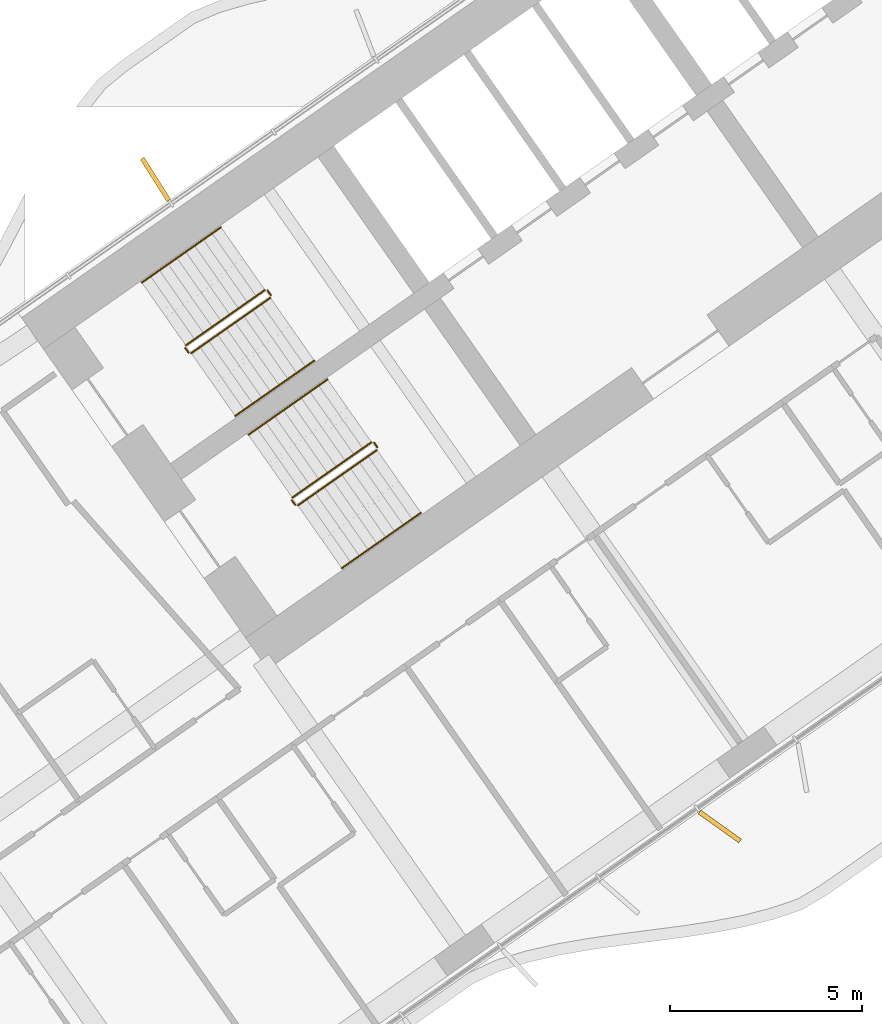
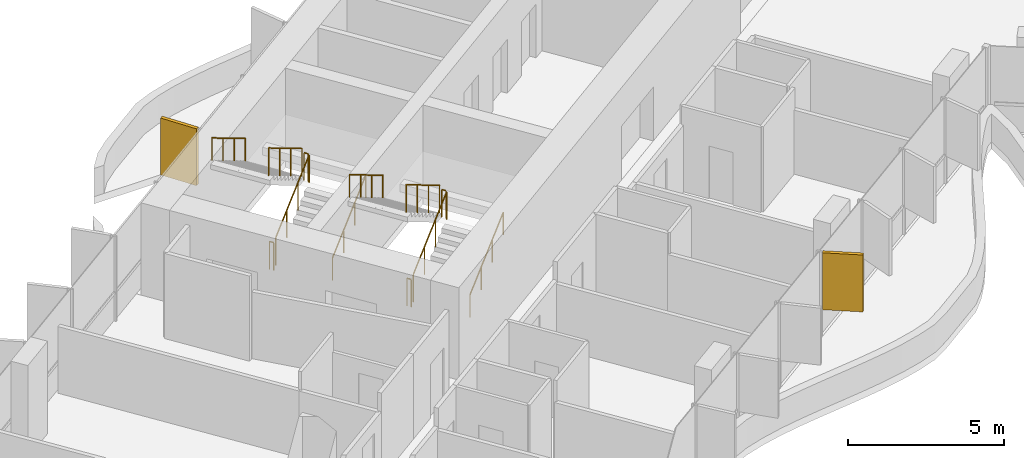
# One storey, part 21 of 25: 12 railings, 2 shading devices.
"""IFC4 building model written with IfcOpenShell, lengths in metres."""

from ifc_helpers import new_model, si_unit, direction, frame, origin, origin_2d, place, context, subcontext, project, spatial, rectangle, circle, extrude, material, layer, layer_set, type_object, element, save


model = new_model("IFC4")

# Units and contexts
model_context = context("Model", 3, precision=1e-05, world=origin(), true_north=direction((0.0, 1.0)))
body_context = subcontext(model_context, "Body", "Model", "MODEL_VIEW")
ifc_project = project(units=[si_unit("LENGTHUNIT", "METRE"), si_unit("AREAUNIT", "SQUARE_METRE"), si_unit("VOLUMEUNIT", "CUBIC_METRE"), si_unit("PLANEANGLEUNIT", "RADIAN"), si_unit("MASSUNIT", "GRAM", prefix="KILO")], contexts=[model_context])

# Site, building, storey
site_placement = place(None, origin())
site = spatial("IfcSite", under=ifc_project, at=site_placement, CompositionType="ELEMENT")
building_placement = place(site_placement, origin())
building = spatial("IfcBuilding", under=site, at=building_placement, Name="Tel Ilan Convention Tower", CompositionType="ELEMENT")
storey_placement = place(building_placement, frame((0.0, 0.0, 61.699951171875)))
storey = spatial("IfcBuildingStorey", under=building, at=storey_placement, Name="L10", CompositionType="ELEMENT", Elevation=61.699951171875)

# Shading devices
ifc_material_1 = material(Name="Aluminium, bronze anodised", Category="aluminium")
ifc_layer = layer(ifc_material_1, 0.1201171875)
ifc_layer_set = layer_set([ifc_layer], Name="FIN BRONZE 1300x120")
shading_device_type = type_object("IfcShadingDeviceType", Name="FIN BRONZE 1300x120", PredefinedType="USERDEFINED", material=ifc_layer_set)
for number, where, z_axis, x_axis, name in (
    (1, (-24.470458984375, -3.520751953125, 1.10009765625), (0.0, 0.0, 1.0), (-0.533204432798, 0.845986425922, 0.0), "FIN"),
    (2, (-9.73974609375, -20.409912109375, 1.10009765625), (0.0, 0.0, 1.0), (0.813552070258, -0.581492071294, 0.0), "FIN"),
):
    element("IfcShadingDevice", number, at=place(storey_placement, frame(where, z_axis=z_axis, x_axis=x_axis)), inside=storey, type_object=shading_device_type, Name=name, ObjectType="FIN", PredefinedType="USERDEFINED", context=body_context, shape_type="SweptSolid", body=[
        extrude(rectangle(XDim=1.300048828125, YDim=0.1201171875, at=origin_2d()), origin(), (0.0, 0.0, 1.0), 2.219970703125),
    ])

# Railings
ifc_material_2 = material(Name="Stainless Steel Grade 316", Category="steel")
railing_type_1 = type_object("IfcRailingType", Name="Stainless Steel Stair Guard 1100 mm", PredefinedType="GUARDRAIL", material=ifc_material_2)
railing_1_placement = place(storey_placement, frame((-23.535400390625, -8.056396484375, 0.179931640625)))
element("IfcRailing", 3, at=railing_1_placement, inside=storey, type_object=railing_type_1, Name="L10 S1 stair guard 1", PredefinedType="GUARDRAIL", context=body_context, shape_type="SweptSolid", body=[
    extrude(circle(Radius=0.02392578125, at=origin_2d()), frame((0.0, 0.0, 1.076171875), z_axis=(0.689013013563, 0.482512838948, 0.540779462804), x_axis=(-0.573624882958, 0.819118119475, 0.0)), (0.0, 0.0, 1.0), 2.995849609375),
    extrude(circle(Radius=0.02099609375, at=origin_2d()), origin(), (0.0, 0.0, 1.0), 1.052001953125),
    extrude(circle(Radius=0.02099609375, at=origin_2d()), frame((0.68798828125, 0.48193359375, 0.5400390625)), (0.0, 0.0, 1.0), 1.052001953125),
    extrude(circle(Radius=0.02099609375, at=origin_2d()), frame((1.376220703125, 0.963623046875, 1.080078125)), (0.0, 0.0, 1.0), 1.052001953125),
    extrude(circle(Radius=0.02099609375, at=origin_2d()), frame((2.064208984375, 1.445556640625, 1.6201171875)), (0.0, 0.0, 1.0), 1.052001953125),
])
railing_2_placement = place(storey_placement, frame((-21.458984375, -6.541259765625, 1.800048828125)))
element("IfcRailing", 4, at=railing_2_placement, inside=storey, type_object=railing_type_1, Name="L10 S1 stair guard 2", PredefinedType="GUARDRAIL", context=body_context, shape_type="SweptSolid", body=[
    extrude(circle(Radius=0.02392578125, at=origin_2d()), frame((0.0, 0.0, 1.076171875), z_axis=(-0.573353020881, 0.819308436089, 0.0), x_axis=(-0.819308436089, -0.573353020881, 0.0)), (0.0, 0.0, 1.0), 0.14990234375),
    extrude(circle(Radius=0.02099609375, at=origin_2d()), origin(), (0.0, 0.0, 1.0), 1.052001953125),
    extrude(circle(Radius=0.02099609375, at=origin_2d()), frame((-0.0859375, 0.122802734375, 0.0)), (0.0, 0.0, 1.0), 1.052001953125),
])
railing_3_placement = place(storey_placement, frame((-21.614501953125, -6.406005859375, 1.97998046875)))
element("IfcRailing", 5, at=railing_3_placement, inside=storey, type_object=railing_type_1, Name="L10 S1 stair guard 3", PredefinedType="GUARDRAIL", context=body_context, shape_type="SweptSolid", body=[
    extrude(circle(Radius=0.02392578125, at=origin_2d()), frame((0.0, 0.0, 1.076171875), z_axis=(-0.689013013563, -0.482512838948, 0.540779462804), x_axis=(0.573624882958, -0.819118119475, 0.0)), (0.0, 0.0, 1.0), 2.995849609375),
    extrude(circle(Radius=0.02099609375, at=origin_2d()), origin(), (0.0, 0.0, 1.0), 1.052001953125),
    extrude(circle(Radius=0.02099609375, at=origin_2d()), frame((-0.68798828125, -0.48193359375, 0.5400390625)), (0.0, 0.0, 1.0), 1.052001953125),
    extrude(circle(Radius=0.02099609375, at=origin_2d()), frame((-1.376220703125, -0.963623046875, 1.080078125)), (0.0, 0.0, 1.0), 1.052001953125),
    extrude(circle(Radius=0.02099609375, at=origin_2d()), frame((-2.064208984375, -1.445556640625, 1.6201171875)), (0.0, 0.0, 1.0), 1.052001953125),
])
railing_4_placement = place(storey_placement, frame((-23.60498046875, -8.0439453125, 0.0)))
element("IfcRailing", 6, at=railing_4_placement, inside=storey, type_object=railing_type_1, Name="L10 S1 stair guard 4", PredefinedType="GUARDRAIL", context=body_context, shape_type="SweptSolid", body=[
    extrude(circle(Radius=0.02392578125, at=origin_2d()), frame((0.0, 0.0, 1.076171875), z_axis=(-0.574444878118, 0.818543268254, 0.0), x_axis=(-0.818543268254, -0.574444878118, 0.0)), (0.0, 0.0, 1.0), 0.150146484375),
    extrude(circle(Radius=0.02099609375, at=origin_2d()), origin(), (0.0, 0.0, 1.0), 1.052001953125),
    extrude(circle(Radius=0.02099609375, at=origin_2d()), frame((-0.086181640625, 0.122802734375, 0.0)), (0.0, 0.0, 1.0), 1.052001953125),
])
railing_5_placement = place(storey_placement, frame((-20.753662109375, -12.029296875, 0.179931640625)))
element("IfcRailing", 7, at=railing_5_placement, inside=storey, type_object=railing_type_1, Name="L10 S2 stair guard 1", PredefinedType="GUARDRAIL", context=body_context, shape_type="SweptSolid", body=[
    extrude(circle(Radius=0.02392578125, at=origin_2d()), frame((0.0, 0.0, 1.076171875), z_axis=(0.689055814419, 0.482485747064, 0.540749099395), x_axis=(-0.573579365141, 0.81914999352, 0.0)), (0.0, 0.0, 1.0), 2.99609375),
    extrude(circle(Radius=0.02099609375, at=origin_2d()), origin(), (0.0, 0.0, 1.0), 1.052001953125),
    extrude(circle(Radius=0.02099609375, at=origin_2d()), frame((0.688232421875, 0.48193359375, 0.5400390625)), (0.0, 0.0, 1.0), 1.052001953125),
    extrude(circle(Radius=0.02099609375, at=origin_2d()), frame((1.376220703125, 0.963623046875, 1.080078125)), (0.0, 0.0, 1.0), 1.052001953125),
    extrude(circle(Radius=0.02099609375, at=origin_2d()), frame((2.064453125, 1.445556640625, 1.6201171875)), (0.0, 0.0, 1.0), 1.052001953125),
])
railing_6_placement = place(storey_placement, frame((-18.677001953125, -10.51416015625, 1.800048828125)))
element("IfcRailing", 8, at=railing_6_placement, inside=storey, type_object=railing_type_1, Name="L10 S2 stair guard 2", PredefinedType="GUARDRAIL", context=body_context, shape_type="SweptSolid", body=[
    extrude(circle(Radius=0.02392578125, at=origin_2d()), frame((0.0, 0.0, 1.076171875), z_axis=(-0.573353020881, 0.819308436089, 0.0), x_axis=(-0.819308436089, -0.573353020881, 0.0)), (0.0, 0.0, 1.0), 0.14990234375),
    extrude(circle(Radius=0.02099609375, at=origin_2d()), origin(), (0.0, 0.0, 1.0), 1.052001953125),
    extrude(circle(Radius=0.02099609375, at=origin_2d()), frame((-0.0859375, 0.122802734375, 0.0)), (0.0, 0.0, 1.0), 1.052001953125),
])
railing_7_placement = place(storey_placement, frame((-18.832763671875, -10.37890625, 1.97998046875)))
element("IfcRailing", 9, at=railing_7_placement, inside=storey, type_object=railing_type_1, Name="L10 S2 stair guard 3", PredefinedType="GUARDRAIL", context=body_context, shape_type="SweptSolid", body=[
    extrude(circle(Radius=0.02392578125, at=origin_2d()), frame((0.0, 0.0, 1.076171875), z_axis=(-0.689013013563, -0.482512838948, 0.540779462804), x_axis=(0.573624882958, -0.819118119475, 0.0)), (0.0, 0.0, 1.0), 2.995849609375),
    extrude(circle(Radius=0.02099609375, at=origin_2d()), origin(), (0.0, 0.0, 1.0), 1.052001953125),
    extrude(circle(Radius=0.02099609375, at=origin_2d()), frame((-0.68798828125, -0.48193359375, 0.5400390625)), (0.0, 0.0, 1.0), 1.052001953125),
    extrude(circle(Radius=0.02099609375, at=origin_2d()), frame((-1.376220703125, -0.963623046875, 1.080078125)), (0.0, 0.0, 1.0), 1.052001953125),
    extrude(circle(Radius=0.02099609375, at=origin_2d()), frame((-2.064208984375, -1.445556640625, 1.6201171875)), (0.0, 0.0, 1.0), 1.052001953125),
])
railing_8_placement = place(storey_placement, frame((-20.8232421875, -12.016845703125, 0.0)))
element("IfcRailing", 10, at=railing_8_placement, inside=storey, type_object=railing_type_1, Name="L10 S2 stair guard 4", PredefinedType="GUARDRAIL", context=body_context, shape_type="SweptSolid", body=[
    extrude(circle(Radius=0.02392578125, at=origin_2d()), frame((0.0, 0.0, 1.076171875), z_axis=(-0.573353020881, 0.819308436089, 0.0), x_axis=(-0.819308436089, -0.573353020881, 0.0)), (0.0, 0.0, 1.0), 0.14990234375),
    extrude(circle(Radius=0.02099609375, at=origin_2d()), origin(), (0.0, 0.0, 1.0), 1.052001953125),
    extrude(circle(Radius=0.02099609375, at=origin_2d()), frame((-0.0859375, 0.122802734375, 0.0)), (0.0, 0.0, 1.0), 1.052001953125),
])
ifc_material_3 = material(Name="Stainless Steel Grade 316", Category="steel")
railing_type_2 = type_object("IfcRailingType", Name="Stainless Steel Stair Handrail 900 mm", PredefinedType="HANDRAIL", material=ifc_material_3)
railing_9_placement = place(storey_placement, frame((-22.38818359375, -9.694580078125, 0.179931640625)))
element("IfcRailing", 11, at=railing_9_placement, inside=storey, type_object=railing_type_2, Name="L10 S1 stair handrail 1", PredefinedType="HANDRAIL", context=body_context, shape_type="SweptSolid", body=[
    extrude(circle(Radius=0.02392578125, at=origin_2d()), frame((0.0, 0.0, 0.8759765625), z_axis=(0.689040105437, 0.482450316285, 0.54080072616), x_axis=(-0.573559875649, 0.819163639968, 0.0)), (0.0, 0.0, 1.0), 2.995849609375),
    extrude(circle(Radius=0.02099609375, at=origin_2d()), origin(), (0.0, 0.0, 1.0), 0.851806640625),
    extrude(circle(Radius=0.02099609375, at=origin_2d()), frame((0.68798828125, 0.481689453125, 0.5400390625)), (0.0, 0.0, 1.0), 0.851806640625),
    extrude(circle(Radius=0.02099609375, at=origin_2d()), frame((1.376220703125, 0.963623046875, 1.080078125)), (0.0, 0.0, 1.0), 0.851806640625),
    extrude(circle(Radius=0.02099609375, at=origin_2d()), frame((2.064208984375, 1.4453125, 1.6201171875)), (0.0, 0.0, 1.0), 0.851806640625),
])
railing_10_placement = place(storey_placement, frame((-22.76171875, -4.767822265625, 1.97998046875)))
element("IfcRailing", 12, at=railing_10_placement, inside=storey, type_object=railing_type_2, Name="L10 S1 stair handrail 2", PredefinedType="HANDRAIL", context=body_context, shape_type="SweptSolid", body=[
    extrude(circle(Radius=0.02392578125, at=origin_2d()), frame((0.0, 0.0, 0.8759765625), z_axis=(-0.689040105437, -0.482450316285, 0.54080072616), x_axis=(0.573559875649, -0.819163639968, 0.0)), (0.0, 0.0, 1.0), 2.995849609375),
    extrude(circle(Radius=0.02099609375, at=origin_2d()), origin(), (0.0, 0.0, 1.0), 0.851806640625),
    extrude(circle(Radius=0.02099609375, at=origin_2d()), frame((-0.68798828125, -0.481689453125, 0.5400390625)), (0.0, 0.0, 1.0), 0.851806640625),
    extrude(circle(Radius=0.02099609375, at=origin_2d()), frame((-1.376220703125, -0.963623046875, 1.080078125)), (0.0, 0.0, 1.0), 0.851806640625),
    extrude(circle(Radius=0.02099609375, at=origin_2d()), frame((-2.064208984375, -1.4453125, 1.6201171875)), (0.0, 0.0, 1.0), 0.851806640625),
])
railing_11_placement = place(storey_placement, frame((-19.6064453125, -13.66748046875, 0.179931640625)))
element("IfcRailing", 13, at=railing_11_placement, inside=storey, type_object=railing_type_2, Name="L10 S2 stair handrail 1", PredefinedType="HANDRAIL", context=body_context, shape_type="SweptSolid", body=[
    extrude(circle(Radius=0.02392578125, at=origin_2d()), frame((0.0, 0.0, 0.8759765625), z_axis=(0.689040105437, 0.482450316285, 0.54080072616), x_axis=(-0.573559875649, 0.819163639968, 0.0)), (0.0, 0.0, 1.0), 2.995849609375),
    extrude(circle(Radius=0.02099609375, at=origin_2d()), origin(), (0.0, 0.0, 1.0), 0.851806640625),
    extrude(circle(Radius=0.02099609375, at=origin_2d()), frame((0.68798828125, 0.481689453125, 0.5400390625)), (0.0, 0.0, 1.0), 0.851806640625),
    extrude(circle(Radius=0.02099609375, at=origin_2d()), frame((1.376220703125, 0.963623046875, 1.080078125)), (0.0, 0.0, 1.0), 0.851806640625),
    extrude(circle(Radius=0.02099609375, at=origin_2d()), frame((2.064208984375, 1.4453125, 1.6201171875)), (0.0, 0.0, 1.0), 0.851806640625),
])
railing_12_placement = place(storey_placement, frame((-19.979736328125, -8.74072265625, 1.97998046875)))
element("IfcRailing", 14, at=railing_12_placement, inside=storey, type_object=railing_type_2, Name="L10 S2 stair handrail 2", PredefinedType="HANDRAIL", context=body_context, shape_type="SweptSolid", body=[
    extrude(circle(Radius=0.02392578125, at=origin_2d()), frame((0.0, 0.0, 0.8759765625), z_axis=(-0.689082904933, -0.482423225781, 0.540770359169), x_axis=(0.573514357932, -0.81919550856, 0.0)), (0.0, 0.0, 1.0), 2.995849609375),
    extrude(circle(Radius=0.02099609375, at=origin_2d()), origin(), (0.0, 0.0, 1.0), 0.851806640625),
    extrude(circle(Radius=0.02099609375, at=origin_2d()), frame((-0.688232421875, -0.481689453125, 0.5400390625)), (0.0, 0.0, 1.0), 0.851806640625),
    extrude(circle(Radius=0.02099609375, at=origin_2d()), frame((-1.376220703125, -0.963623046875, 1.080078125)), (0.0, 0.0, 1.0), 0.851806640625),
    extrude(circle(Radius=0.02099609375, at=origin_2d()), frame((-2.064453125, -1.4453125, 1.6201171875)), (0.0, 0.0, 1.0), 0.851806640625),
])

save(model, "model.ifc")
